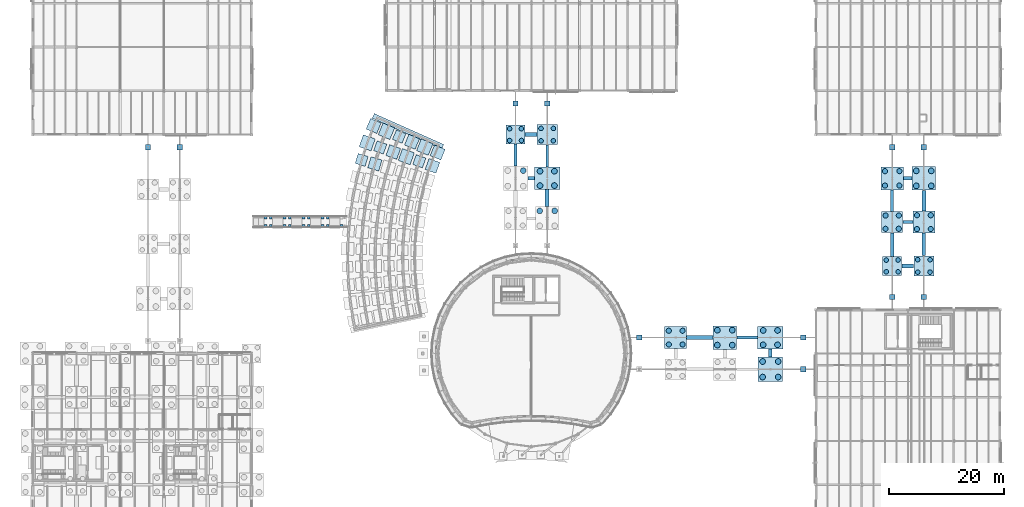
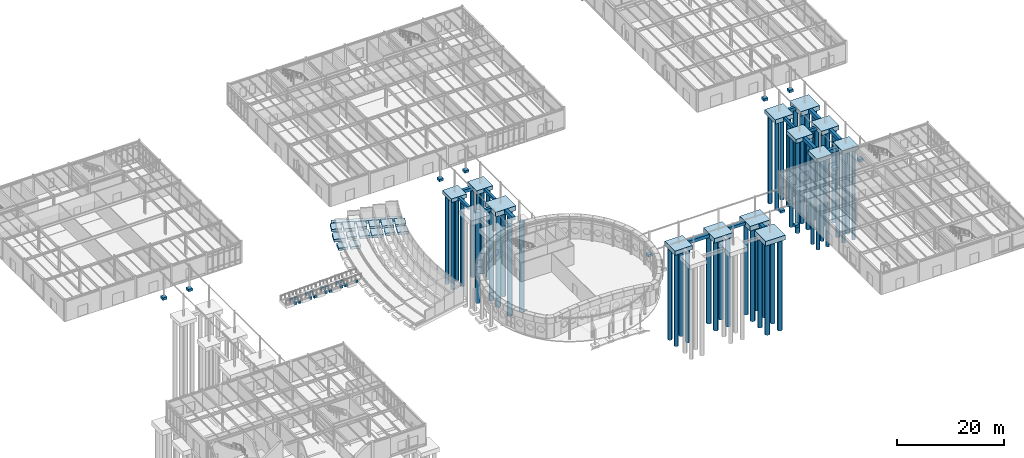
# One storey, part 4 of 109: 71 footings, 55 piles.
"""IFC4 building model written with IfcOpenShell, lengths in metres."""

from ifc_helpers import new_model, si_unit, direction, frame, origin, origin_2d, place, context, subcontext, project, spatial, rectangle, circle, extrude, material, material_profile, profile_set, type_object, element, save


model = new_model("IFC4")

# Units and contexts
model_context = context("Model", 3, precision=1e-05, world=origin(), true_north=direction((0.0, 1.0)))
body_context = subcontext(model_context, "Body", "Model", "MODEL_VIEW")
ifc_project = project(units=[si_unit("LENGTHUNIT", "METRE"), si_unit("AREAUNIT", "SQUARE_METRE"), si_unit("VOLUMEUNIT", "CUBIC_METRE"), si_unit("PLANEANGLEUNIT", "RADIAN"), si_unit("MASSUNIT", "GRAM", prefix="KILO")], contexts=[model_context])

# Site, building, storey
site_placement = place(None, origin())
site = spatial("IfcSite", under=ifc_project, at=site_placement, CompositionType="ELEMENT")
building_placement = place(site_placement, origin())
building = spatial("IfcBuilding", under=site, at=building_placement, Name="Montecoro Central Library", CompositionType="ELEMENT")
storey_placement = place(building_placement, origin())
storey = spatial("IfcBuildingStorey", under=building, at=storey_placement, Name="L00", CompositionType="ELEMENT", Elevation=0.0)

# Footings
ifc_material = material(Name="Concrete C35/45", Category="concrete")
footing_type_1 = type_object("IfcFootingType", Name="FT-PAD-180", PredefinedType="PAD_FOOTING", material=ifc_material)
for number, where, z_axis, x_axis, name in (
    (1, (62.1240234375, 68.9951171875, -0.5498046875), (0.0, 0.0, 1.0), (-0.284015344704, -0.958819734868, 0.0), "V1-STEP-FT-01-03"),
    (2, (65.35498046875, 71.174072265625, -0.5498046875), (0.0, 0.0, 1.0), (-0.333806859234, -0.942641491092, 0.0), "V1-STEP-FT-02-02"),
    (3, (68.64990234375, 73.06298828125, -0.5498046875), (0.0, 0.0, 1.0), (-0.382683432365, -0.923879532511, 0.0), "V1-STEP-FT-03-01"),
    (4, (72.14208984375, 68.77001953125, -0.5498046875), (0.0, 0.0, 1.0), (-0.333806859234, -0.942641491092, 0.0), "V1-STEP-FT-05-02"),
):
    element("IfcFooting", number, at=place(storey_placement, frame(where, z_axis=z_axis, x_axis=x_axis)), inside=storey, type_object=footing_type_1, Name=name, PredefinedType="PAD_FOOTING", context=body_context, shape_type="SweptSolid", body=[
        extrude(rectangle(XDim=1.800048828125, YDim=1.800048828125, at=origin_2d()), origin(), (0.0, 0.0, 1.0), 0.550048828125),
    ])
for number, where, z_axis, x_axis, name in (
    (5, (88.85009765625, 78.800048828125, -0.5498046875), (0.0, 0.0, 1.0), (1.0, 0.0, 0.0), "BR-N-PAD-888-788"),
    (6, (94.35009765625, 78.800048828125, -0.5498046875), (0.0, 0.0, 1.0), (1.0, 0.0, 0.0), "BR-N-PAD-943-788"),
    (7, (25.050048828125, 71.199951171875, -0.5498046875), (0.0, 0.0, 1.0), (1.0, 0.0, 0.0), "BR-W-PAD-250-712"),
    (8, (30.550048828125, 71.199951171875, -0.5498046875), (0.0, 0.0, 1.0), (1.0, 0.0, 0.0), "BR-W-PAD-305-712"),
    (9, (154.25, 45.199951171875, -0.5498046875), (0.0, 0.0, 1.0), (1.0, 0.0, 0.0), "BR-E-PAD-1542-452"),
    (10, (159.75, 45.199951171875, -0.5498046875), (0.0, 0.0, 1.0), (1.0, 0.0, 0.0), "BR-E-PAD-1597-452"),
    (11, (154.25, 71.199951171875, -0.5498046875), (0.0, 0.0, 1.0), (1.0, 0.0, 0.0), "BR-E-PAD-1542-712"),
    (12, (159.75, 71.199951171875, -0.5498046875), (0.0, 0.0, 1.0), (1.0, 0.0, 0.0), "BR-E-PAD-1597-712"),
    (13, (110.320068359375, 38.14990234375, -0.5498046875), (0.0, 0.0, 1.0), (1.0, 0.0, 0.0), "BR-SE-PAD-1103-381"),
    (14, (138.800048828125, 32.64990234375, -0.5498046875), (0.0, 0.0, 1.0), (1.0, 0.0, 0.0), "BR-SE-PAD-1388-326"),
    (15, (138.800048828125, 38.14990234375, -0.5498046875), (0.0, 0.0, 1.0), (1.0, 0.0, 0.0), "BR-SE-PAD-1388-381"),
):
    element("IfcFooting", number, at=place(storey_placement, frame(where, z_axis=z_axis, x_axis=x_axis)), inside=storey, type_object=footing_type_1, Name=name, PredefinedType="PAD_FOOTING", context=body_context, shape_type="SweptSolid", body=[
        extrude(rectangle(XDim=0.89990234375, YDim=0.89990234375, at=origin_2d()), origin(), (0.0, 0.0, 1.0), 0.550048828125),
    ])
for number, where, z_axis, x_axis, name in (
    (16, (45.408935546875, 57.592041015625, -0.741943359375), (0.0, 0.0, 1.0), (1.0, 0.0, 0.0), "V1-RAMP-PAD1-11"),
    (17, (45.408935546875, 58.951904296875, -0.741943359375), (0.0, 0.0, 1.0), (1.0, 0.0, 0.0), "V1-RAMP-PAD1-12"),
    (18, (46.34912109375, 57.592041015625, -0.741943359375), (0.0, 0.0, 1.0), (1.0, 0.0, 0.0), "V1-RAMP-PAD1-21"),
    (19, (46.34912109375, 58.951904296875, -0.741943359375), (0.0, 0.0, 1.0), (1.0, 0.0, 0.0), "V1-RAMP-PAD1-22"),
    (20, (48.708984375, 57.592041015625, -0.634033203125), (0.0, 0.0, 1.0), (1.0, 0.0, 0.0), "V1-RAMP-PAD2-11"),
    (21, (48.708984375, 58.951904296875, -0.634033203125), (0.0, 0.0, 1.0), (1.0, 0.0, 0.0), "V1-RAMP-PAD2-12"),
    (22, (49.64892578125, 57.592041015625, -0.634033203125), (0.0, 0.0, 1.0), (1.0, 0.0, 0.0), "V1-RAMP-PAD2-21"),
    (23, (49.64892578125, 58.951904296875, -0.634033203125), (0.0, 0.0, 1.0), (1.0, 0.0, 0.0), "V1-RAMP-PAD2-22"),
    (24, (52.009033203125, 57.592041015625, -0.52587890625), (0.0, 0.0, 1.0), (1.0, 0.0, 0.0), "V1-RAMP-PAD3-11"),
    (25, (52.009033203125, 58.951904296875, -0.52587890625), (0.0, 0.0, 1.0), (1.0, 0.0, 0.0), "V1-RAMP-PAD3-12"),
    (26, (52.948974609375, 57.592041015625, -0.52587890625), (0.0, 0.0, 1.0), (1.0, 0.0, 0.0), "V1-RAMP-PAD3-21"),
    (27, (52.948974609375, 58.951904296875, -0.52587890625), (0.0, 0.0, 1.0), (1.0, 0.0, 0.0), "V1-RAMP-PAD3-22"),
    (28, (55.30908203125, 57.592041015625, -0.41796875), (0.0, 0.0, 1.0), (1.0, 0.0, 0.0), "V1-RAMP-PAD4-11"),
    (29, (55.30908203125, 58.951904296875, -0.41796875), (0.0, 0.0, 1.0), (1.0, 0.0, 0.0), "V1-RAMP-PAD4-12"),
    (30, (56.2490234375, 57.592041015625, -0.41796875), (0.0, 0.0, 1.0), (1.0, 0.0, 0.0), "V1-RAMP-PAD4-21"),
    (31, (56.2490234375, 58.951904296875, -0.41796875), (0.0, 0.0, 1.0), (1.0, 0.0, 0.0), "V1-RAMP-PAD4-22"),
    (32, (58.60888671875, 57.592041015625, -0.31005859375), (0.0, 0.0, 1.0), (1.0, 0.0, 0.0), "V1-RAMP-PAD5-11"),
):
    element("IfcFooting", number, at=place(storey_placement, frame(where, z_axis=z_axis, x_axis=x_axis)), inside=storey, type_object=footing_type_1, Name=name, PredefinedType="PAD_FOOTING", context=body_context, shape_type="SweptSolid", body=[
        extrude(rectangle(XDim=0.47998046875, YDim=0.47998046875, at=origin_2d()), origin(), (0.0, 0.0, 1.0), 0.64990234375),
    ])
footing_type_2 = type_object("IfcFootingType", Name="FT-PAD-200", PredefinedType="PAD_FOOTING", material=ifc_material)
for number, where, z_axis, x_axis, name in (
    (33, (64.215087890625, 74.89990234375, -0.60009765625), (0.0, 0.0, 1.0), (-0.382683432365, -0.923879532511, 0.0), "V1-STEP-FT-01-01"),
    (34, (64.425048828125, 68.31396484375, -0.60009765625), (0.0, 0.0, 1.0), (-0.284015344704, -0.958819734868, 0.0), "V1-STEP-FT-02-03"),
    (35, (67.616943359375, 70.373046875, -0.60009765625), (0.0, 0.0, 1.0), (-0.333806859234, -0.942641491092, 0.0), "V1-STEP-FT-03-02"),
    (36, (70.866943359375, 72.14404296875, -0.60009765625), (0.0, 0.0, 1.0), (-0.382683432365, -0.923879532511, 0.0), "V1-STEP-FT-04-01"),
    (37, (75.320068359375, 70.300048828125, -0.60009765625), (0.0, 0.0, 1.0), (-0.382683432365, -0.923879532511, 0.0), "FT-PAD-IN-01"),
    (38, (74.423095703125, 67.962890625, -0.60009765625), (0.0, 0.0, 1.0), (-0.333806859234, -0.942641491092, 0.0), "FT-PAD-IN-02"),
):
    element("IfcFooting", number, at=place(storey_placement, frame(where, z_axis=z_axis, x_axis=x_axis)), inside=storey, type_object=footing_type_2, Name=name, PredefinedType="PAD_FOOTING", context=body_context, shape_type="SweptSolid", body=[
        extrude(rectangle(XDim=2.0, YDim=2.0, at=origin_2d()), origin(), (0.0, 0.0, 1.0), 0.60009765625),
    ])
footing_type_3 = type_object("IfcFootingType", Name="FT-PAD-220", PredefinedType="PAD_FOOTING", material=ifc_material)
for number, where, z_axis, x_axis, name in (
    (39, (63.092041015625, 71.97509765625, -0.64990234375), (0.0, 0.0, 1.0), (-0.333806859234, -0.942641491092, 0.0), "V1-STEP-FT-01-02"),
    (40, (66.431884765625, 73.98095703125, -0.64990234375), (0.0, 0.0, 1.0), (-0.382683432365, -0.923879532511, 0.0), "V1-STEP-FT-02-01"),
    (41, (69.87890625, 69.572021484375, -0.64990234375), (0.0, 0.0, 1.0), (-0.333806859234, -0.942641491092, 0.0), "V1-STEP-FT-04-02"),
    (42, (73.083984375, 71.22607421875, -0.64990234375), (0.0, 0.0, 1.0), (-0.382683432365, -0.923879532511, 0.0), "V1-STEP-FT-05-01"),
):
    element("IfcFooting", number, at=place(storey_placement, frame(where, z_axis=z_axis, x_axis=x_axis)), inside=storey, type_object=footing_type_3, Name=name, PredefinedType="PAD_FOOTING", context=body_context, shape_type="SweptSolid", body=[
        extrude(rectangle(XDim=2.199951171875, YDim=2.199951171875, at=origin_2d()), origin(), (0.0, 0.0, 1.0), 0.64990234375),
    ])
footing_type_4 = type_object("IfcFootingType", Name="FT-PC-330", PredefinedType="PILE_CAP", material=ifc_material)
for number, where, z_axis, x_axis, name in (
    (43, (88.85009765625, 73.39990234375, -0.85009765625), (0.0, 0.0, 1.0), (1.0, 0.0, 0.0), "BR-N-CAP-888-734"),
    (44, (154.25, 50.60009765625, -0.85009765625), (0.0, 0.0, 1.0), (1.0, 0.0, 0.0), "BR-E-CAP-1542-506"),
):
    element("IfcFooting", number, at=place(storey_placement, frame(where, z_axis=z_axis, x_axis=x_axis)), inside=storey, type_object=footing_type_4, Name=name, PredefinedType="PILE_CAP", context=body_context, shape_type="SweptSolid", body=[
        extrude(rectangle(XDim=3.300048828125, YDim=3.300048828125, at=origin_2d()), origin(), (0.0, 0.0, 1.0), 0.85009765625),
    ])
footing_type_5 = type_object("IfcFootingType", Name="FT-PC-350", PredefinedType="PILE_CAP", material=ifc_material)
for number, where, z_axis, x_axis, name in (
    (45, (94.35009765625, 73.39990234375, -0.8798828125), (0.0, 0.0, 1.0), (1.0, 0.0, 0.0), "BR-N-CAP-943-734"),
    (46, (159.75, 50.60009765625, -0.8798828125), (0.0, 0.0, 1.0), (1.0, 0.0, 0.0), "BR-E-CAP-1597-506"),
):
    element("IfcFooting", number, at=place(storey_placement, frame(where, z_axis=z_axis, x_axis=x_axis)), inside=storey, type_object=footing_type_5, Name=name, PredefinedType="PILE_CAP", context=body_context, shape_type="SweptSolid", body=[
        extrude(rectangle(XDim=3.5, YDim=3.5, at=origin_2d()), origin(), (0.0, 0.0, 1.0), 0.8798828125),
    ])
footing_type_6 = type_object("IfcFootingType", Name="FT-PC-365", PredefinedType="PILE_CAP", material=ifc_material)
footing_1_placement = place(storey_placement, frame((154.25, 58.199951171875, -0.89990234375), z_axis=(0.0, 0.0, 1.0), x_axis=(1.0, 0.0, 0.0)))
element("IfcFooting", 47, at=footing_1_placement, inside=storey, type_object=footing_type_6, Name="BR-E-CAP-1542-582", PredefinedType="PILE_CAP", context=body_context, shape_type="SweptSolid", body=[
    extrude(rectangle(XDim=3.64990234375, YDim=3.64990234375, at=origin_2d()), origin(), (0.0, 0.0, 1.0), 0.89990234375),
])
footing_type_7 = type_object("IfcFootingType", Name="FT-PC-380", PredefinedType="PILE_CAP", material=ifc_material)
for number, where, z_axis, x_axis, name in (
    (48, (159.75, 58.199951171875, -0.9501953125), (0.0, 0.0, 1.0), (1.0, 0.0, 0.0), "BR-E-CAP-1597-582"),
    (49, (116.659912109375, 38.14990234375, -0.9501953125), (0.0, 0.0, 1.0), (1.0, 0.0, 0.0), "BR-SE-CAP-1166-381"),
):
    element("IfcFooting", number, at=place(storey_placement, frame(where, z_axis=z_axis, x_axis=x_axis)), inside=storey, type_object=footing_type_7, Name=name, PredefinedType="PILE_CAP", context=body_context, shape_type="SweptSolid", body=[
        extrude(rectangle(XDim=3.800048828125, YDim=3.800048828125, at=origin_2d()), origin(), (0.0, 0.0, 1.0), 0.949951171875),
    ])
footing_type_8 = type_object("IfcFootingType", Name="FT-PC-395", PredefinedType="PILE_CAP", material=ifc_material)
footing_2_placement = place(storey_placement, frame((154.25, 65.800048828125, -0.97998046875), z_axis=(0.0, 0.0, 1.0), x_axis=(1.0, 0.0, 0.0)))
element("IfcFooting", 50, at=footing_2_placement, inside=storey, type_object=footing_type_8, Name="BR-E-CAP-1542-658", PredefinedType="PILE_CAP", context=body_context, shape_type="SweptSolid", body=[
    extrude(rectangle(XDim=3.949951171875, YDim=3.949951171875, at=origin_2d()), origin(), (0.0, 0.0, 1.0), 0.97998046875),
])
footing_type_9 = type_object("IfcFootingType", Name="FT-PC-410", PredefinedType="PILE_CAP", material=ifc_material)
for number, where, z_axis, x_axis, name in (
    (51, (159.75, 65.800048828125, -1.02001953125), (0.0, 0.0, 1.0), (1.0, 0.0, 0.0), "BR-E-CAP-1597-658"),
    (52, (125.199951171875, 38.14990234375, -1.02001953125), (0.0, 0.0, 1.0), (1.0, 0.0, 0.0), "BR-SE-CAP-1252-381"),
):
    element("IfcFooting", number, at=place(storey_placement, frame(where, z_axis=z_axis, x_axis=x_axis)), inside=storey, type_object=footing_type_9, Name=name, PredefinedType="PILE_CAP", context=body_context, shape_type="SweptSolid", body=[
        extrude(rectangle(XDim=4.10009765625, YDim=4.10009765625, at=origin_2d()), origin(), (0.0, 0.0, 1.0), 1.02001953125),
    ])
footing_type_10 = type_object("IfcFootingType", Name="FT-PC-425", PredefinedType="PILE_CAP", material=ifc_material)
footing_3_placement = place(storey_placement, frame((133.10009765625, 32.64990234375, -1.06005859375), z_axis=(0.0, 0.0, 1.0), x_axis=(1.0, 0.0, 0.0)))
element("IfcFooting", 53, at=footing_3_placement, inside=storey, type_object=footing_type_10, Name="BR-SE-CAP-1331-326", PredefinedType="PILE_CAP", context=body_context, shape_type="SweptSolid", body=[
    extrude(rectangle(XDim=4.25, YDim=4.25, at=origin_2d()), origin(), (0.0, 0.0, 1.0), 1.06005859375),
])
footing_type_11 = type_object("IfcFootingType", Name="FT-PC-440", PredefinedType="PILE_CAP", material=ifc_material)
for number, where, z_axis, x_axis, name in (
    (54, (94.35009765625, 65.800048828125, -1.0498046875), (0.0, 0.0, 1.0), (1.0, 0.0, 0.0), "BR-N-CAP-943-658"),
    (55, (133.10009765625, 38.14990234375, -1.0498046875), (0.0, 0.0, 1.0), (1.0, 0.0, 0.0), "BR-SE-CAP-1331-381"),
):
    element("IfcFooting", number, at=place(storey_placement, frame(where, z_axis=z_axis, x_axis=x_axis)), inside=storey, type_object=footing_type_11, Name=name, PredefinedType="PILE_CAP", context=body_context, shape_type="SweptSolid", body=[
        extrude(rectangle(XDim=4.39990234375, YDim=3.89990234375, at=origin_2d()), origin(), (0.0, 0.0, 1.0), 1.050048828125),
    ])
footing_type_12 = type_object("IfcFootingType", Name="FT-TB-01", PredefinedType="FOOTING_BEAM", material=ifc_material)
footing_4_placement = place(storey_placement, frame((94.35009765625, 69.699951171875, -0.60009765625), z_axis=(0.0, 0.0, 1.0), x_axis=(1.0, 0.0, 0.0)))
element("IfcFooting", 56, at=footing_4_placement, inside=storey, type_object=footing_type_12, Name="FT-TBY-290", PredefinedType="FOOTING_BEAM", context=body_context, shape_type="SweptSolid", body=[
    extrude(rectangle(XDim=0.5, YDim=3.860107421875, at=origin_2d()), origin(), (0.0, 0.0, 1.0), 0.60009765625),
])
footing_5_placement = place(storey_placement, frame((154.25, 61.925048828125, -0.60009765625), z_axis=(0.0, 0.0, 1.0), x_axis=(1.0, 0.0, 0.0)))
element("IfcFooting", 57, at=footing_5_placement, inside=storey, type_object=footing_type_12, Name="FT-TBY-300", PredefinedType="FOOTING_BEAM", context=body_context, shape_type="SweptSolid", body=[
    extrude(rectangle(XDim=0.5, YDim=3.760009765625, at=origin_2d()), origin(), (0.0, 0.0, 1.0), 0.60009765625),
])
footing_type_13 = type_object("IfcFootingType", Name="FT-TB-02", PredefinedType="FOOTING_BEAM", material=ifc_material)
footing_6_placement = place(storey_placement, frame((70.1689453125, 73.964111328125, -0.64990234375), z_axis=(0.0, 0.0, 1.0), x_axis=(-0.913545457643, 0.406736643076, 0.0)))
element("IfcFooting", 58, at=footing_6_placement, inside=storey, type_object=footing_type_13, Name="FT-TB-CHK-N", PredefinedType="FOOTING_BEAM", context=body_context, shape_type="SweptSolid", body=[
    extrude(rectangle(XDim=13.199951171875, YDim=0.89990234375, at=origin_2d()), origin(), (0.0, 0.0, 1.0), 0.64990234375),
])
footing_7_placement = place(storey_placement, frame((88.85009765625, 69.837890625, -0.64990234375), z_axis=(0.0, 0.0, 1.0), x_axis=(1.0, 0.0, 0.0)))
element("IfcFooting", 59, at=footing_7_placement, inside=storey, type_object=footing_type_13, Name="FT-TBY-286", PredefinedType="FOOTING_BEAM", context=body_context, shape_type="SweptSolid", body=[
    extrude(rectangle(XDim=0.550048828125, YDim=3.784912109375, at=origin_2d()), origin(), (0.0, 0.0, 1.0), 0.64990234375),
])
footing_8_placement = place(storey_placement, frame((129.074951171875, 38.14990234375, -0.64990234375), z_axis=(0.0, 0.0, 1.0), x_axis=(1.0, 0.0, 0.0)))
element("IfcFooting", 60, at=footing_8_placement, inside=storey, type_object=footing_type_13, Name="FT-TBX-296", PredefinedType="FOOTING_BEAM", context=body_context, shape_type="SweptSolid", body=[
    extrude(rectangle(XDim=3.610107421875, YDim=0.550048828125, at=origin_2d()), origin(), (0.0, 0.0, 1.0), 0.64990234375),
])
footing_9_placement = place(storey_placement, frame((156.962890625, 58.199951171875, -0.64990234375), z_axis=(0.0, 0.0, 1.0), x_axis=(1.0, 0.0, 0.0)))
element("IfcFooting", 61, at=footing_9_placement, inside=storey, type_object=footing_type_13, Name="FT-TBX-301", PredefinedType="FOOTING_BEAM", context=body_context, shape_type="SweptSolid", body=[
    extrude(rectangle(XDim=1.735107421875, YDim=0.550048828125, at=origin_2d()), origin(), (0.0, 0.0, 1.0), 0.64990234375),
])
footing_type_14 = type_object("IfcFootingType", Name="FT-TB-03", PredefinedType="FOOTING_BEAM", material=ifc_material)
footing_10_placement = place(storey_placement, frame((91.56201171875, 65.800048828125, -0.7001953125), z_axis=(0.0, 0.0, 1.0), x_axis=(1.0, 0.0, 0.0)))
element("IfcFooting", 62, at=footing_10_placement, inside=storey, type_object=footing_type_14, Name="FT-TBX-287", PredefinedType="FOOTING_BEAM", context=body_context, shape_type="SweptSolid", body=[
    extrude(rectangle(XDim=1.135009765625, YDim=0.60009765625, at=origin_2d()), origin(), (0.0, 0.0, 1.0), 0.699951171875),
])
footing_11_placement = place(storey_placement, frame((133.10009765625, 35.487060546875, -0.7001953125), z_axis=(0.0, 0.0, 1.0), x_axis=(1.0, 0.0, 0.0)))
element("IfcFooting", 63, at=footing_11_placement, inside=storey, type_object=footing_type_14, Name="FT-TBY-297", PredefinedType="FOOTING_BEAM", context=body_context, shape_type="SweptSolid", body=[
    extrude(rectangle(XDim=0.60009765625, YDim=1.385009765625, at=origin_2d()), origin(), (0.0, 0.0, 1.0), 0.699951171875),
])
footing_12_placement = place(storey_placement, frame((156.962890625, 65.800048828125, -0.7001953125), z_axis=(0.0, 0.0, 1.0), x_axis=(1.0, 0.0, 0.0)))
element("IfcFooting", 64, at=footing_12_placement, inside=storey, type_object=footing_type_14, Name="FT-TBX-302", PredefinedType="FOOTING_BEAM", context=body_context, shape_type="SweptSolid", body=[
    extrude(rectangle(XDim=1.43505859375, YDim=0.60009765625, at=origin_2d()), origin(), (0.0, 0.0, 1.0), 0.699951171875),
])
footing_type_15 = type_object("IfcFootingType", Name="FT-TB-04", PredefinedType="FOOTING_BEAM", material=ifc_material)
footing_13_placement = place(storey_placement, frame((91.550048828125, 73.39990234375, -0.75), z_axis=(0.0, 0.0, 1.0), x_axis=(1.0, 0.0, 0.0)))
element("IfcFooting", 65, at=footing_13_placement, inside=storey, type_object=footing_type_15, Name="FT-TBX-288", PredefinedType="FOOTING_BEAM", context=body_context, shape_type="SweptSolid", body=[
    extrude(rectangle(XDim=2.06005859375, YDim=0.64990234375, at=origin_2d()), origin(), (0.0, 0.0, 1.0), 0.75),
])
footing_14_placement = place(storey_placement, frame((120.85498046875, 38.14990234375, -0.75), z_axis=(0.0, 0.0, 1.0), x_axis=(1.0, 0.0, 0.0)))
element("IfcFooting", 66, at=footing_14_placement, inside=storey, type_object=footing_type_15, Name="FT-TBX-293", PredefinedType="FOOTING_BEAM", context=body_context, shape_type="SweptSolid", body=[
    extrude(rectangle(XDim=4.550048828125, YDim=0.64990234375, at=origin_2d()), origin(), (0.0, 0.0, 1.0), 0.75),
])
footing_15_placement = place(storey_placement, frame((154.25, 54.31201171875, -0.75), z_axis=(0.0, 0.0, 1.0), x_axis=(1.0, 0.0, 0.0)))
element("IfcFooting", 67, at=footing_15_placement, inside=storey, type_object=footing_type_15, Name="FT-TBY-298", PredefinedType="FOOTING_BEAM", context=body_context, shape_type="SweptSolid", body=[
    extrude(rectangle(XDim=0.64990234375, YDim=4.0849609375, at=origin_2d()), origin(), (0.0, 0.0, 1.0), 0.75),
])
footing_16_placement = place(storey_placement, frame((159.75, 54.324951171875, -0.75), z_axis=(0.0, 0.0, 1.0), x_axis=(1.0, 0.0, 0.0)))
element("IfcFooting", 68, at=footing_16_placement, inside=storey, type_object=footing_type_15, Name="FT-TBY-303", PredefinedType="FOOTING_BEAM", context=body_context, shape_type="SweptSolid", body=[
    extrude(rectangle(XDim=0.64990234375, YDim=3.909912109375, at=origin_2d()), origin(), (0.0, 0.0, 1.0), 0.75),
])
footing_type_16 = type_object("IfcFootingType", Name="FT-TB-05", PredefinedType="FOOTING_BEAM", material=ifc_material)
footing_17_placement = place(storey_placement, frame((94.35009765625, 62.3798828125, -0.7998046875), z_axis=(0.0, 0.0, 1.0), x_axis=(1.0, 0.0, 0.0)))
element("IfcFooting", 69, at=footing_17_placement, inside=storey, type_object=footing_type_16, Name="FT-TBY-289", PredefinedType="FOOTING_BEAM", context=body_context, shape_type="SweptSolid", body=[
    extrude(rectangle(XDim=0.699951171875, YDim=2.89990234375, at=origin_2d()), origin(), (0.0, 0.0, 1.0), 0.800048828125),
])
footing_18_placement = place(storey_placement, frame((156.949951171875, 50.60009765625, -0.7998046875), z_axis=(0.0, 0.0, 1.0), x_axis=(1.0, 0.0, 0.0)))
element("IfcFooting", 70, at=footing_18_placement, inside=storey, type_object=footing_type_16, Name="FT-TBX-299", PredefinedType="FOOTING_BEAM", context=body_context, shape_type="SweptSolid", body=[
    extrude(rectangle(XDim=2.06005859375, YDim=0.699951171875, at=origin_2d()), origin(), (0.0, 0.0, 1.0), 0.800048828125),
])
footing_19_placement = place(storey_placement, frame((159.75, 61.925048828125, -0.7998046875), z_axis=(0.0, 0.0, 1.0), x_axis=(1.0, 0.0, 0.0)))
element("IfcFooting", 71, at=footing_19_placement, inside=storey, type_object=footing_type_16, Name="FT-TBY-304", PredefinedType="FOOTING_BEAM", context=body_context, shape_type="SweptSolid", body=[
    extrude(rectangle(XDim=0.699951171875, YDim=3.610107421875, at=origin_2d()), origin(), (0.0, 0.0, 1.0), 0.800048828125),
])

# Piles
ifc_material_profile_1 = material_profile(ifc_material, circle(Radius=0.5, at=origin_2d()), Name="PILE D1000")
ifc_profile_set_1 = profile_set([ifc_material_profile_1], Name="Concrete C35/45")
pile_type_1 = type_object("IfcPileType", Name="PL-BORED-1000", PredefinedType="BORED", material=ifc_profile_set_1)
for number, where, z_axis, x_axis, name in (
    (72, (93.050048828125, 60.159912109375, -0.919921875), (0.0, 0.0, -1.0), (1.0, 0.0, 0.0), "BR-N-CAP-943-588-P2"),
    (73, (95.64990234375, 60.159912109375, -0.919921875), (0.0, 0.0, -1.0), (1.0, 0.0, 0.0), "BR-N-CAP-943-588-P4"),
):
    element("IfcPile", number, at=place(storey_placement, frame(where, z_axis=z_axis, x_axis=x_axis)), inside=storey, type_object=pile_type_1, Name=name, PredefinedType="BORED", context=body_context, shape_type="SweptSolid", body=[
        extrude(circle(Radius=0.5, at=origin_2d()), origin(), (0.0, 0.0, 1.0), 20.429931640625),
    ])
pile_placement = place(storey_placement, frame((90.199951171875, 67.14990234375, -0.9599609375), z_axis=(0.0, 0.0, -1.0), x_axis=(1.0, 0.0, 0.0)))
element("IfcPile", 74, at=pile_placement, inside=storey, type_object=pile_type_1, Name="BR-N-CAP-888-658-P4", PredefinedType="BORED", context=body_context, shape_type="SweptSolid", body=[
    extrude(circle(Radius=0.5, at=origin_2d()), origin(), (0.0, 0.0, 1.0), 20.739990234375),
])
for number, where, z_axis, x_axis, name in (
    (75, (93.10009765625, 64.550048828125, -0.949951171875), (0.0, 0.0, -1.0), (1.0, 0.0, 0.0), "BR-N-CAP-943-658-P1"),
    (76, (93.10009765625, 67.050048828125, -0.949951171875), (0.0, 0.0, -1.0), (1.0, 0.0, 0.0), "BR-N-CAP-943-658-P2"),
    (77, (95.60009765625, 64.550048828125, -0.949951171875), (0.0, 0.0, -1.0), (1.0, 0.0, 0.0), "BR-N-CAP-943-658-P3"),
    (78, (95.60009765625, 67.050048828125, -0.949951171875), (0.0, 0.0, -1.0), (1.0, 0.0, 0.0), "BR-N-CAP-943-658-P4"),
):
    element("IfcPile", number, at=place(storey_placement, frame(where, z_axis=z_axis, x_axis=x_axis)), inside=storey, type_object=pile_type_1, Name=name, PredefinedType="BORED", context=body_context, shape_type="SweptSolid", body=[
        extrude(circle(Radius=0.5, at=origin_2d()), origin(), (0.0, 0.0, 1.0), 21.10009765625),
    ])
for number, where, z_axis, x_axis, name in (
    (79, (158.449951171875, 64.5, -0.919921875), (0.0, 0.0, -1.0), (1.0, 0.0, 0.0), "BR-E-CAP-1597-658-P1"),
    (80, (158.449951171875, 67.10009765625, -0.919921875), (0.0, 0.0, -1.0), (1.0, 0.0, 0.0), "BR-E-CAP-1597-658-P2"),
    (81, (161.050048828125, 64.5, -0.919921875), (0.0, 0.0, -1.0), (1.0, 0.0, 0.0), "BR-E-CAP-1597-658-P3"),
    (82, (161.050048828125, 67.10009765625, -0.919921875), (0.0, 0.0, -1.0), (1.0, 0.0, 0.0), "BR-E-CAP-1597-658-P4"),
    (83, (123.89990234375, 36.85009765625, -0.919921875), (0.0, 0.0, -1.0), (1.0, 0.0, 0.0), "BR-SE-CAP-1252-381-P1"),
    (84, (123.89990234375, 39.449951171875, -0.919921875), (0.0, 0.0, -1.0), (1.0, 0.0, 0.0), "BR-SE-CAP-1252-381-P2"),
    (85, (126.5, 36.85009765625, -0.919921875), (0.0, 0.0, -1.0), (1.0, 0.0, 0.0), "BR-SE-CAP-1252-381-P3"),
    (86, (126.5, 39.449951171875, -0.919921875), (0.0, 0.0, -1.0), (1.0, 0.0, 0.0), "BR-SE-CAP-1252-381-P4"),
):
    element("IfcPile", number, at=place(storey_placement, frame(where, z_axis=z_axis, x_axis=x_axis)), inside=storey, type_object=pile_type_1, Name=name, PredefinedType="BORED", context=body_context, shape_type="SweptSolid", body=[
        extrude(circle(Radius=0.5, at=origin_2d()), origin(), (0.0, 0.0, 1.0), 20.429931640625),
    ])
for number, where, z_axis, x_axis, name in (
    (87, (131.75, 31.300048828125, -0.9599609375), (0.0, 0.0, -1.0), (1.0, 0.0, 0.0), "BR-SE-CAP-1331-326-P1"),
    (88, (131.75, 34.0, -0.9599609375), (0.0, 0.0, -1.0), (1.0, 0.0, 0.0), "BR-SE-CAP-1331-326-P2"),
    (89, (134.449951171875, 31.300048828125, -0.9599609375), (0.0, 0.0, -1.0), (1.0, 0.0, 0.0), "BR-SE-CAP-1331-326-P3"),
    (90, (134.449951171875, 34.0, -0.9599609375), (0.0, 0.0, -1.0), (1.0, 0.0, 0.0), "BR-SE-CAP-1331-326-P4"),
):
    element("IfcPile", number, at=place(storey_placement, frame(where, z_axis=z_axis, x_axis=x_axis)), inside=storey, type_object=pile_type_1, Name=name, PredefinedType="BORED", context=body_context, shape_type="SweptSolid", body=[
        extrude(circle(Radius=0.5, at=origin_2d()), origin(), (0.0, 0.0, 1.0), 20.739990234375),
    ])
for number, where, z_axis, x_axis, name in (
    (91, (131.85009765625, 36.89990234375, -0.949951171875), (0.0, 0.0, -1.0), (1.0, 0.0, 0.0), "BR-SE-CAP-1331-381-P1"),
    (92, (131.85009765625, 39.39990234375, -0.949951171875), (0.0, 0.0, -1.0), (1.0, 0.0, 0.0), "BR-SE-CAP-1331-381-P2"),
    (93, (134.35009765625, 36.89990234375, -0.949951171875), (0.0, 0.0, -1.0), (1.0, 0.0, 0.0), "BR-SE-CAP-1331-381-P3"),
    (94, (134.35009765625, 39.39990234375, -0.949951171875), (0.0, 0.0, -1.0), (1.0, 0.0, 0.0), "BR-SE-CAP-1331-381-P4"),
):
    element("IfcPile", number, at=place(storey_placement, frame(where, z_axis=z_axis, x_axis=x_axis)), inside=storey, type_object=pile_type_1, Name=name, PredefinedType="BORED", context=body_context, shape_type="SweptSolid", body=[
        extrude(circle(Radius=0.5, at=origin_2d()), origin(), (0.0, 0.0, 1.0), 21.10009765625),
    ])
ifc_material_profile_2 = material_profile(ifc_material, circle(Radius=0.39990234375, at=origin_2d()), Name="PILE D800")
ifc_profile_set_2 = profile_set([ifc_material_profile_2], Name="Concrete C35/45")
pile_type_2 = type_object("IfcPileType", Name="PL-BORED-800", PredefinedType="BORED", material=ifc_profile_set_2)
for number, where, z_axis, x_axis, name in (
    (95, (87.824951171875, 72.375, -0.75), (0.0, 0.0, -1.0), (1.0, 0.0, 0.0), "BR-N-CAP-888-734-P1"),
    (96, (87.824951171875, 74.425048828125, -0.75), (0.0, 0.0, -1.0), (1.0, 0.0, 0.0), "BR-N-CAP-888-734-P2"),
    (97, (89.875, 72.375, -0.75), (0.0, 0.0, -1.0), (1.0, 0.0, 0.0), "BR-N-CAP-888-734-P3"),
    (98, (89.875, 74.425048828125, -0.75), (0.0, 0.0, -1.0), (1.0, 0.0, 0.0), "BR-N-CAP-888-734-P4"),
):
    element("IfcPile", number, at=place(storey_placement, frame(where, z_axis=z_axis, x_axis=x_axis)), inside=storey, type_object=pile_type_2, Name=name, PredefinedType="BORED", context=body_context, shape_type="SweptSolid", body=[
        extrude(circle(Radius=0.39990234375, at=origin_2d()), origin(), (0.0, 0.0, 1.0), 20.25),
    ])
for number, where, z_axis, x_axis, name in (
    (99, (93.27490234375, 72.324951171875, -0.780029296875), (0.0, 0.0, -1.0), (1.0, 0.0, 0.0), "BR-N-CAP-943-734-P1"),
    (100, (93.27490234375, 74.47509765625, -0.780029296875), (0.0, 0.0, -1.0), (1.0, 0.0, 0.0), "BR-N-CAP-943-734-P2"),
    (101, (95.425048828125, 72.324951171875, -0.780029296875), (0.0, 0.0, -1.0), (1.0, 0.0, 0.0), "BR-N-CAP-943-734-P3"),
    (102, (95.425048828125, 74.47509765625, -0.780029296875), (0.0, 0.0, -1.0), (1.0, 0.0, 0.0), "BR-N-CAP-943-734-P4"),
):
    element("IfcPile", number, at=place(storey_placement, frame(where, z_axis=z_axis, x_axis=x_axis)), inside=storey, type_object=pile_type_2, Name=name, PredefinedType="BORED", context=body_context, shape_type="SweptSolid", body=[
        extrude(circle(Radius=0.39990234375, at=origin_2d()), origin(), (0.0, 0.0, 1.0), 20.570068359375),
    ])
for number, where, z_axis, x_axis, name in (
    (103, (153.22509765625, 49.574951171875, -0.75), (0.0, 0.0, -1.0), (1.0, 0.0, 0.0), "BR-E-CAP-1542-506-P1"),
    (104, (153.22509765625, 51.625, -0.75), (0.0, 0.0, -1.0), (1.0, 0.0, 0.0), "BR-E-CAP-1542-506-P2"),
    (105, (155.27490234375, 49.574951171875, -0.75), (0.0, 0.0, -1.0), (1.0, 0.0, 0.0), "BR-E-CAP-1542-506-P3"),
    (106, (155.27490234375, 51.625, -0.75), (0.0, 0.0, -1.0), (1.0, 0.0, 0.0), "BR-E-CAP-1542-506-P4"),
):
    element("IfcPile", number, at=place(storey_placement, frame(where, z_axis=z_axis, x_axis=x_axis)), inside=storey, type_object=pile_type_2, Name=name, PredefinedType="BORED", context=body_context, shape_type="SweptSolid", body=[
        extrude(circle(Radius=0.39990234375, at=origin_2d()), origin(), (0.0, 0.0, 1.0), 20.25),
    ])
for number, where, z_axis, x_axis, name in (
    (107, (158.675048828125, 49.52490234375, -0.780029296875), (0.0, 0.0, -1.0), (1.0, 0.0, 0.0), "BR-E-CAP-1597-506-P1"),
    (108, (158.675048828125, 51.675048828125, -0.780029296875), (0.0, 0.0, -1.0), (1.0, 0.0, 0.0), "BR-E-CAP-1597-506-P2"),
    (109, (160.824951171875, 49.52490234375, -0.780029296875), (0.0, 0.0, -1.0), (1.0, 0.0, 0.0), "BR-E-CAP-1597-506-P3"),
    (110, (160.824951171875, 51.675048828125, -0.780029296875), (0.0, 0.0, -1.0), (1.0, 0.0, 0.0), "BR-E-CAP-1597-506-P4"),
):
    element("IfcPile", number, at=place(storey_placement, frame(where, z_axis=z_axis, x_axis=x_axis)), inside=storey, type_object=pile_type_2, Name=name, PredefinedType="BORED", context=body_context, shape_type="SweptSolid", body=[
        extrude(circle(Radius=0.39990234375, at=origin_2d()), origin(), (0.0, 0.0, 1.0), 20.570068359375),
    ])
ifc_material_profile_3 = material_profile(ifc_material, circle(Radius=0.449951171875, at=origin_2d()), Name="PILE D900")
ifc_profile_set_3 = profile_set([ifc_material_profile_3], Name="Concrete C35/45")
pile_type_3 = type_object("IfcPileType", Name="PL-BORED-900", PredefinedType="BORED", material=ifc_profile_set_3)
for number, where, z_axis, x_axis, name in (
    (111, (153.10009765625, 57.050048828125, -0.800048828125), (0.0, 0.0, -1.0), (1.0, 0.0, 0.0), "BR-E-CAP-1542-582-P1"),
    (112, (153.10009765625, 59.35009765625, -0.800048828125), (0.0, 0.0, -1.0), (1.0, 0.0, 0.0), "BR-E-CAP-1542-582-P2"),
    (113, (155.39990234375, 57.050048828125, -0.800048828125), (0.0, 0.0, -1.0), (1.0, 0.0, 0.0), "BR-E-CAP-1542-582-P3"),
    (114, (155.39990234375, 59.35009765625, -0.800048828125), (0.0, 0.0, -1.0), (1.0, 0.0, 0.0), "BR-E-CAP-1542-582-P4"),
):
    element("IfcPile", number, at=place(storey_placement, frame(where, z_axis=z_axis, x_axis=x_axis)), inside=storey, type_object=pile_type_3, Name=name, PredefinedType="BORED", context=body_context, shape_type="SweptSolid", body=[
        extrude(circle(Radius=0.449951171875, at=origin_2d()), origin(), (0.0, 0.0, 1.0), 20.89990234375),
    ])
for number, where, z_axis, x_axis, name in (
    (115, (158.550048828125, 57.0, -0.85009765625), (0.0, 0.0, -1.0), (1.0, 0.0, 0.0), "BR-E-CAP-1597-582-P1"),
    (116, (158.550048828125, 59.39990234375, -0.85009765625), (0.0, 0.0, -1.0), (1.0, 0.0, 0.0), "BR-E-CAP-1597-582-P2"),
    (117, (160.949951171875, 57.0, -0.85009765625), (0.0, 0.0, -1.0), (1.0, 0.0, 0.0), "BR-E-CAP-1597-582-P3"),
    (118, (160.949951171875, 59.39990234375, -0.85009765625), (0.0, 0.0, -1.0), (1.0, 0.0, 0.0), "BR-E-CAP-1597-582-P4"),
):
    element("IfcPile", number, at=place(storey_placement, frame(where, z_axis=z_axis, x_axis=x_axis)), inside=storey, type_object=pile_type_3, Name=name, PredefinedType="BORED", context=body_context, shape_type="SweptSolid", body=[
        extrude(circle(Radius=0.449951171875, at=origin_2d()), origin(), (0.0, 0.0, 1.0), 21.199951171875),
    ])
for number, where, z_axis, x_axis, name in (
    (119, (153.0, 64.550048828125, -0.8798828125), (0.0, 0.0, -1.0), (1.0, 0.0, 0.0), "BR-E-CAP-1542-658-P1"),
    (120, (153.0, 67.050048828125, -0.8798828125), (0.0, 0.0, -1.0), (1.0, 0.0, 0.0), "BR-E-CAP-1542-658-P2"),
    (121, (155.5, 64.550048828125, -0.8798828125), (0.0, 0.0, -1.0), (1.0, 0.0, 0.0), "BR-E-CAP-1542-658-P3"),
    (122, (155.5, 67.050048828125, -0.8798828125), (0.0, 0.0, -1.0), (1.0, 0.0, 0.0), "BR-E-CAP-1542-658-P4"),
):
    element("IfcPile", number, at=place(storey_placement, frame(where, z_axis=z_axis, x_axis=x_axis)), inside=storey, type_object=pile_type_3, Name=name, PredefinedType="BORED", context=body_context, shape_type="SweptSolid", body=[
        extrude(circle(Radius=0.449951171875, at=origin_2d()), origin(), (0.0, 0.0, 1.0), 20.1201171875),
    ])
for number, where, z_axis, x_axis, name in (
    (123, (115.4599609375, 36.949951171875, -0.85009765625), (0.0, 0.0, -1.0), (1.0, 0.0, 0.0), "BR-SE-CAP-1166-381-P1"),
    (124, (115.4599609375, 39.35009765625, -0.85009765625), (0.0, 0.0, -1.0), (1.0, 0.0, 0.0), "BR-SE-CAP-1166-381-P2"),
    (125, (117.860107421875, 36.949951171875, -0.85009765625), (0.0, 0.0, -1.0), (1.0, 0.0, 0.0), "BR-SE-CAP-1166-381-P3"),
    (126, (117.860107421875, 39.35009765625, -0.85009765625), (0.0, 0.0, -1.0), (1.0, 0.0, 0.0), "BR-SE-CAP-1166-381-P4"),
):
    element("IfcPile", number, at=place(storey_placement, frame(where, z_axis=z_axis, x_axis=x_axis)), inside=storey, type_object=pile_type_3, Name=name, PredefinedType="BORED", context=body_context, shape_type="SweptSolid", body=[
        extrude(circle(Radius=0.449951171875, at=origin_2d()), origin(), (0.0, 0.0, 1.0), 21.199951171875),
    ])

save(model, "model.ifc")
